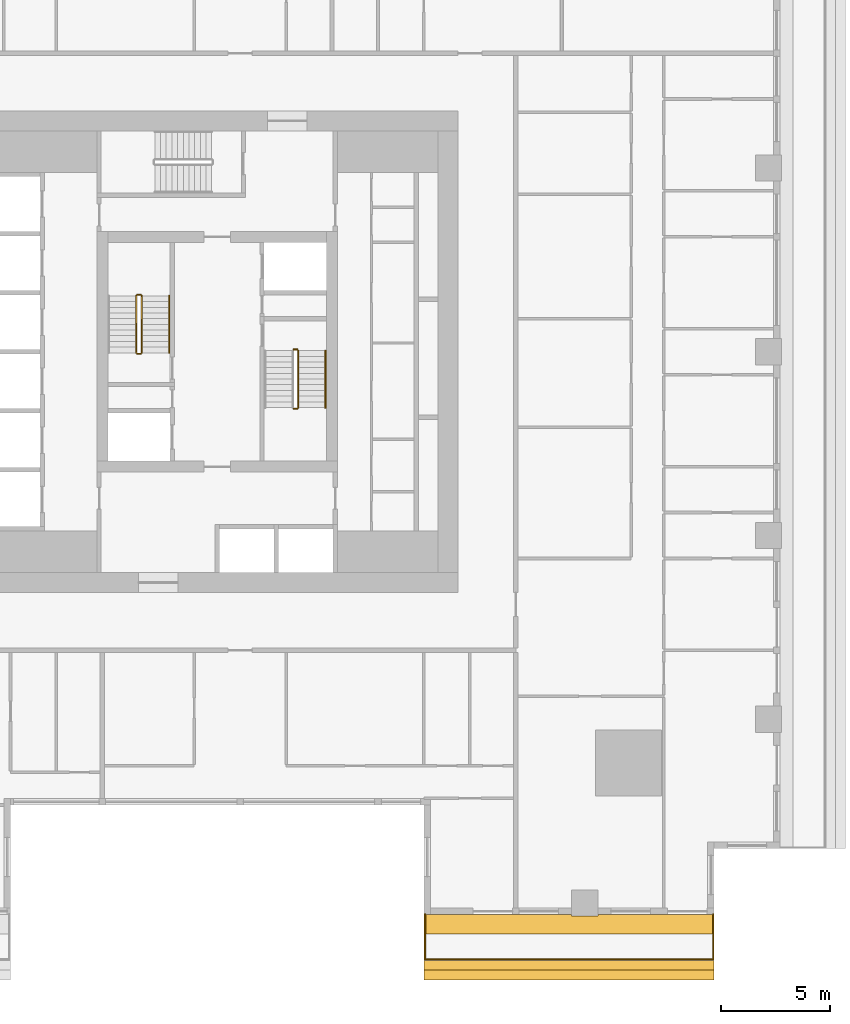
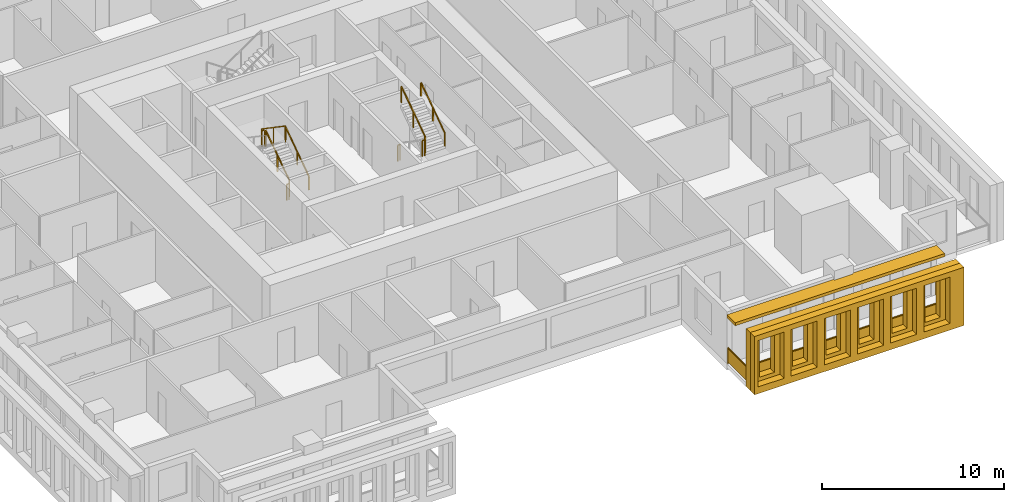
# One storey, part 12 of 15: 10 railings, 3 shading devices.
"""IFC4 building model written with IfcOpenShell, lengths in metres."""

from ifc_helpers import new_model, si_unit, direction, frame, origin, origin_2d, place, context, subcontext, project, spatial, polyline, rectangle, outline, extrude, material, layer, layer_set, type_object, element, save


model = new_model("IFC4")

# Units and contexts
model_context = context("Model", 3, precision=1e-05, world=origin(), true_north=direction((0.0, 1.0)))
body_context = subcontext(model_context, "Body", "Model", "MODEL_VIEW")
ifc_project = project(units=[si_unit("LENGTHUNIT", "METRE"), si_unit("AREAUNIT", "SQUARE_METRE"), si_unit("VOLUMEUNIT", "CUBIC_METRE"), si_unit("PLANEANGLEUNIT", "RADIAN"), si_unit("MASSUNIT", "GRAM", prefix="KILO")], contexts=[model_context])

# Site, building, storey
site_placement = place(None, origin())
site = spatial("IfcSite", under=ifc_project, at=site_placement, CompositionType="ELEMENT")
building_placement = place(site_placement, origin())
building = spatial("IfcBuilding", under=site, at=building_placement, Name="Khepri Terraces", CompositionType="ELEMENT")
storey_placement = place(building_placement, frame((0.0, 0.0, 54.300048828125)))
storey = spatial("IfcBuildingStorey", under=building, at=storey_placement, Name="L12", CompositionType="ELEMENT", Elevation=54.300048828125)

# Railings
ifc_material_1 = material(Name="Stainless steel grade 316", Category="steel")
railing_type_1 = type_object("IfcRailingType", Name="GRD-BAL-1100", PredefinedType="GUARDRAIL", material=ifc_material_1)
railing_1_placement = place(storey_placement, frame((9.5, -25.719970703125, 0.0)))
element("IfcRailing", 1, at=railing_1_placement, inside=storey, type_object=railing_type_1, Name="Balcony guard L12 S", PredefinedType="GUARDRAIL", context=body_context, shape_type="SweptSolid", body=[
    extrude(rectangle(XDim=0.050048828125, YDim=0.06005859375, at=origin_2d()), frame((0.0, 0.0, 1.070068359375), z_axis=(0.0, -1.0, 0.0), x_axis=(1.0, 0.0, 0.0)), (0.0, 0.0, 1.0), 2.050048828125),
    extrude(rectangle(XDim=2.0, YDim=0.011962890625, at=origin_2d()), frame((0.0, -1.02490234375, 0.10009765625), z_axis=(0.0, 0.0, 1.0), x_axis=(0.0, -1.0, 0.0)), (0.0, 0.0, 1.0), 0.93994140625),
    extrude(rectangle(XDim=0.050048828125, YDim=0.06005859375, at=origin_2d()), frame((0.0, -2.050048828125, 1.070068359375), z_axis=(1.0, 0.0, 0.0), x_axis=(0.0, 1.0, 0.0)), (0.0, 0.0, 1.0), 13.169921875),
    extrude(rectangle(XDim=2.14501953125, YDim=0.011962890625, at=origin_2d()), frame((1.097412109375, -2.050048828125, 0.10009765625), z_axis=(0.0, 0.0, 1.0), x_axis=(1.0, 0.0, 0.0)), (0.0, 0.0, 1.0), 0.93994140625),
    extrude(rectangle(XDim=2.14501953125, YDim=0.011962890625, at=origin_2d()), frame((3.29248046875, -2.050048828125, 0.10009765625), z_axis=(0.0, 0.0, 1.0), x_axis=(1.0, 0.0, 0.0)), (0.0, 0.0, 1.0), 0.93994140625),
    extrude(rectangle(XDim=2.14501953125, YDim=0.011962890625, at=origin_2d()), frame((5.487548828125, -2.050048828125, 0.10009765625), z_axis=(0.0, 0.0, 1.0), x_axis=(1.0, 0.0, 0.0)), (0.0, 0.0, 1.0), 0.93994140625),
    extrude(rectangle(XDim=2.14501953125, YDim=0.011962890625, at=origin_2d()), frame((7.682373046875, -2.050048828125, 0.10009765625), z_axis=(0.0, 0.0, 1.0), x_axis=(1.0, 0.0, 0.0)), (0.0, 0.0, 1.0), 0.93994140625),
    extrude(rectangle(XDim=2.14501953125, YDim=0.011962890625, at=origin_2d()), frame((9.87744140625, -2.050048828125, 0.10009765625), z_axis=(0.0, 0.0, 1.0), x_axis=(1.0, 0.0, 0.0)), (0.0, 0.0, 1.0), 0.93994140625),
    extrude(rectangle(XDim=2.14501953125, YDim=0.011962890625, at=origin_2d()), frame((12.072509765625, -2.050048828125, 0.10009765625), z_axis=(0.0, 0.0, 1.0), x_axis=(1.0, 0.0, 0.0)), (0.0, 0.0, 1.0), 0.93994140625),
    extrude(rectangle(XDim=0.050048828125, YDim=0.06005859375, at=origin_2d()), frame((13.169921875, -2.050048828125, 1.070068359375), z_axis=(0.0, 1.0, 0.0), x_axis=(-1.0, 0.0, 0.0)), (0.0, 0.0, 1.0), 2.050048828125),
    extrude(rectangle(XDim=2.0, YDim=0.011962890625, at=origin_2d()), frame((13.169921875, -1.02490234375, 0.10009765625), z_axis=(0.0, 0.0, 1.0), x_axis=(0.0, 1.0, 0.0)), (0.0, 0.0, 1.0), 0.93994140625),
    extrude(rectangle(XDim=0.050048828125, YDim=0.050048828125, at=origin_2d()), origin(), (0.0, 0.0, 1.0), 1.0400390625),
    extrude(rectangle(XDim=0.050048828125, YDim=0.050048828125, at=origin_2d()), frame((0.0, -2.050048828125, 0.0)), (0.0, 0.0, 1.0), 1.0400390625),
    extrude(rectangle(XDim=0.050048828125, YDim=0.050048828125, at=origin_2d()), frame((2.195068359375, -2.050048828125, 0.0)), (0.0, 0.0, 1.0), 1.0400390625),
    extrude(rectangle(XDim=0.050048828125, YDim=0.050048828125, at=origin_2d()), frame((4.389892578125, -2.050048828125, 0.0)), (0.0, 0.0, 1.0), 1.0400390625),
    extrude(rectangle(XDim=0.050048828125, YDim=0.050048828125, at=origin_2d()), frame((6.5849609375, -2.050048828125, 0.0)), (0.0, 0.0, 1.0), 1.0400390625),
    extrude(rectangle(XDim=0.050048828125, YDim=0.050048828125, at=origin_2d()), frame((8.780029296875, -2.050048828125, 0.0)), (0.0, 0.0, 1.0), 1.0400390625),
    extrude(rectangle(XDim=0.050048828125, YDim=0.050048828125, at=origin_2d()), frame((10.974853515625, -2.050048828125, 0.0)), (0.0, 0.0, 1.0), 1.0400390625),
    extrude(rectangle(XDim=0.050048828125, YDim=0.050048828125, at=origin_2d()), frame((13.169921875, -2.050048828125, 0.0)), (0.0, 0.0, 1.0), 1.0400390625),
    extrude(rectangle(XDim=0.050048828125, YDim=0.050048828125, at=origin_2d()), frame((13.169921875, 0.0, 0.0)), (0.0, 0.0, 1.0), 1.0400390625),
])
ifc_material_2 = material(Name="Stainless steel 316", Category="steel")
railing_type_2 = type_object("IfcRailingType", Name="RL-CORE-GUARD", PredefinedType="GUARDRAIL", material=ifc_material_2)
railing_2_placement = place(storey_placement, frame((-3.449951171875, -0.050048828125, 0.17724609375)))
element("IfcRailing", 2, at=railing_2_placement, inside=storey, type_object=railing_type_2, Name="L12 ST-1 stair guard 1", PredefinedType="GUARDRAIL", context=body_context, shape_type="SweptSolid", body=[
    extrude(rectangle(XDim=0.050048828125, YDim=0.06005859375, at=origin_2d()), frame((0.0, 0.0, 1.070068359375), z_axis=(0.0, 0.826240473404, 0.563317565952), x_axis=(-1.0, 0.0, 0.0)), (0.0, 0.0, 1.0), 3.14697265625),
    extrude(rectangle(XDim=0.050048828125, YDim=0.050048828125, at=origin_2d()), origin(), (0.0, 0.0, 1.0), 1.0400390625),
    extrude(rectangle(XDim=0.050048828125, YDim=0.050048828125, at=origin_2d()), frame((0.0, 1.300048828125, 0.88623046875)), (0.0, 0.0, 1.0), 1.0400390625),
    extrude(rectangle(XDim=0.050048828125, YDim=0.050048828125, at=origin_2d()), frame((0.0, 2.60009765625, 1.772705078125)), (0.0, 0.0, 1.0), 1.0400390625),
])
railing_3_placement = place(storey_placement, frame((-3.5, 2.60009765625, 1.949951171875)))
element("IfcRailing", 3, at=railing_3_placement, inside=storey, type_object=railing_type_2, Name="L12 ST-1 stair guard 2", PredefinedType="GUARDRAIL", context=body_context, shape_type="SweptSolid", body=[
    extrude(rectangle(XDim=0.050048828125, YDim=0.06005859375, at=origin_2d()), frame((0.0, 0.0, 1.070068359375), z_axis=(-1.0, 0.0, 0.0), x_axis=(0.0, -1.0, 0.0)), (0.0, 0.0, 1.0), 0.14990234375),
    extrude(rectangle(XDim=0.050048828125, YDim=0.050048828125, at=origin_2d()), origin(), (0.0, 0.0, 1.0), 1.0400390625),
    extrude(rectangle(XDim=0.050048828125, YDim=0.050048828125, at=origin_2d()), frame((-0.14990234375, 0.0, 0.0)), (0.0, 0.0, 1.0), 1.0400390625),
])
railing_4_placement = place(storey_placement, frame((-3.699951171875, 2.550048828125, 2.127197265625)))
element("IfcRailing", 4, at=railing_4_placement, inside=storey, type_object=railing_type_2, Name="L12 ST-1 stair guard 3", PredefinedType="GUARDRAIL", context=body_context, shape_type="SweptSolid", body=[
    extrude(rectangle(XDim=0.050048828125, YDim=0.06005859375, at=origin_2d()), frame((0.0, 0.0, 1.070068359375), z_axis=(0.0, -0.826240473404, 0.563317565952), x_axis=(1.0, 0.0, 0.0)), (0.0, 0.0, 1.0), 3.14697265625),
    extrude(rectangle(XDim=0.050048828125, YDim=0.050048828125, at=origin_2d()), origin(), (0.0, 0.0, 1.0), 1.0400390625),
    extrude(rectangle(XDim=0.050048828125, YDim=0.050048828125, at=origin_2d()), frame((0.0, -1.300048828125, 0.88623046875)), (0.0, 0.0, 1.0), 1.0400390625),
    extrude(rectangle(XDim=0.050048828125, YDim=0.050048828125, at=origin_2d()), frame((0.0, -2.60009765625, 1.772705078125)), (0.0, 0.0, 1.0), 1.0400390625),
])
railing_5_placement = place(storey_placement, frame((-3.5, -0.10009765625, 0.0)))
element("IfcRailing", 5, at=railing_5_placement, inside=storey, type_object=railing_type_2, Name="L12 ST-1 stair guard 4", PredefinedType="GUARDRAIL", context=body_context, shape_type="SweptSolid", body=[
    extrude(rectangle(XDim=0.050048828125, YDim=0.06005859375, at=origin_2d()), frame((0.0, 0.0, 1.070068359375), z_axis=(-1.0, 0.0, 0.0), x_axis=(0.0, -1.0, 0.0)), (0.0, 0.0, 1.0), 0.14990234375),
    extrude(rectangle(XDim=0.050048828125, YDim=0.050048828125, at=origin_2d()), origin(), (0.0, 0.0, 1.0), 1.0400390625),
    extrude(rectangle(XDim=0.050048828125, YDim=0.050048828125, at=origin_2d()), frame((-0.14990234375, 0.0, 0.0)), (0.0, 0.0, 1.0), 1.0400390625),
])
railing_6_placement = place(storey_placement, frame((3.5, -2.60009765625, 1.949951171875)))
element("IfcRailing", 6, at=railing_6_placement, inside=storey, type_object=railing_type_2, Name="L12 ST-2 stair guard 2", PredefinedType="GUARDRAIL", context=body_context, shape_type="SweptSolid", body=[
    extrude(rectangle(XDim=0.050048828125, YDim=0.06005859375, at=origin_2d()), frame((0.0, 0.0, 1.070068359375), z_axis=(1.0, 0.0, 0.0), x_axis=(0.0, 1.0, 0.0)), (0.0, 0.0, 1.0), 0.14990234375),
    extrude(rectangle(XDim=0.050048828125, YDim=0.050048828125, at=origin_2d()), origin(), (0.0, 0.0, 1.0), 1.0400390625),
    extrude(rectangle(XDim=0.050048828125, YDim=0.050048828125, at=origin_2d()), frame((0.14990234375, 0.0, 0.0)), (0.0, 0.0, 1.0), 1.0400390625),
])
railing_7_placement = place(storey_placement, frame((3.699951171875, -2.550048828125, 2.127197265625)))
element("IfcRailing", 7, at=railing_7_placement, inside=storey, type_object=railing_type_2, Name="L12 ST-2 stair guard 3", PredefinedType="GUARDRAIL", context=body_context, shape_type="SweptSolid", body=[
    extrude(rectangle(XDim=0.050048828125, YDim=0.06005859375, at=origin_2d()), frame((0.0, 0.0, 1.070068359375), z_axis=(0.0, 0.826240473404, 0.563317565952), x_axis=(-1.0, 0.0, 0.0)), (0.0, 0.0, 1.0), 3.14697265625),
    extrude(rectangle(XDim=0.050048828125, YDim=0.050048828125, at=origin_2d()), origin(), (0.0, 0.0, 1.0), 1.0400390625),
    extrude(rectangle(XDim=0.050048828125, YDim=0.050048828125, at=origin_2d()), frame((0.0, 1.300048828125, 0.88623046875)), (0.0, 0.0, 1.0), 1.0400390625),
    extrude(rectangle(XDim=0.050048828125, YDim=0.050048828125, at=origin_2d()), frame((0.0, 2.60009765625, 1.772705078125)), (0.0, 0.0, 1.0), 1.0400390625),
])
railing_8_placement = place(storey_placement, frame((3.5, 0.10009765625, 0.0)))
element("IfcRailing", 8, at=railing_8_placement, inside=storey, type_object=railing_type_2, Name="L12 ST-2 stair guard 4", PredefinedType="GUARDRAIL", context=body_context, shape_type="SweptSolid", body=[
    extrude(rectangle(XDim=0.050048828125, YDim=0.06005859375, at=origin_2d()), frame((0.0, 0.0, 1.070068359375), z_axis=(1.0, 0.0, 0.0), x_axis=(0.0, 1.0, 0.0)), (0.0, 0.0, 1.0), 0.14990234375),
    extrude(rectangle(XDim=0.050048828125, YDim=0.050048828125, at=origin_2d()), origin(), (0.0, 0.0, 1.0), 1.0400390625),
    extrude(rectangle(XDim=0.050048828125, YDim=0.050048828125, at=origin_2d()), frame((0.14990234375, 0.0, 0.0)), (0.0, 0.0, 1.0), 1.0400390625),
])
railing_type_3 = type_object("IfcRailingType", Name="RL-CORE-HANDRAIL", PredefinedType="HANDRAIL", material=ifc_material_2)
for number, where, name in (
    (9, (-2.199951171875, -0.050048828125, 0.17724609375), "L12 ST-1 stair handrail 1"),
    (10, (4.949951171875, -2.550048828125, 2.127197265625), "L12 ST-2 stair handrail 2"),
):
    element("IfcRailing", number, at=place(storey_placement, frame(where)), inside=storey, type_object=railing_type_3, Name=name, PredefinedType="HANDRAIL", context=body_context, shape_type="SweptSolid", body=[
        extrude(rectangle(XDim=0.050048828125, YDim=0.050048828125, at=origin_2d()), frame((0.0, 0.0, 0.875), z_axis=(0.0, 0.826240473404, 0.563317565952), x_axis=(-1.0, 0.0, 0.0)), (0.0, 0.0, 1.0), 3.14697265625),
        extrude(rectangle(XDim=0.050048828125, YDim=0.050048828125, at=origin_2d()), origin(), (0.0, 0.0, 1.0), 0.849853515625),
        extrude(rectangle(XDim=0.050048828125, YDim=0.050048828125, at=origin_2d()), frame((0.0, 1.300048828125, 0.88623046875)), (0.0, 0.0, 1.0), 0.849853515625),
        extrude(rectangle(XDim=0.050048828125, YDim=0.050048828125, at=origin_2d()), frame((0.0, 2.60009765625, 1.772705078125)), (0.0, 0.0, 1.0), 0.849853515625),
    ])

# Shading devices
ifc_material_3 = material(Name="Precast concrete C50/60 warm stone", Category="masonry")
shading_device_type_1 = type_object("IfcShadingDeviceType", Name="SCR-CELL-INNER-450", PredefinedType="USERDEFINED", material=ifc_material_3)
shading_device_1_placement = place(storey_placement, frame((9.449951171875, -27.820068359375, -0.25), z_axis=(0.0, -1.0, 0.0), x_axis=(1.0, 0.0, 0.0)))
element("IfcShadingDevice", 11, at=shading_device_1_placement, inside=storey, type_object=shading_device_type_1, Name="Cell screen L12 S in", ObjectType="SCREEN", PredefinedType="USERDEFINED", context=body_context, shape_type="SweptSolid", body=[
    extrude(outline(polyline([(0.0, 0.0), (13.27001953125, 0.0), (13.27001953125, 3.89990234375), (0.0, 3.89990234375), (0.0, 0.0)]), holes=[polyline([(0.577392578125, 0.699951171875), (1.5224609375, 0.699951171875), (1.5224609375, 3.300048828125), (0.577392578125, 3.300048828125), (0.577392578125, 0.699951171875)]), polyline([(2.677490234375, 0.699951171875), (3.62255859375, 0.699951171875), (3.62255859375, 3.300048828125), (2.677490234375, 3.300048828125), (2.677490234375, 0.699951171875)]), polyline([(4.777587890625, 0.699951171875), (5.722412109375, 0.699951171875), (5.722412109375, 3.300048828125), (4.777587890625, 3.300048828125), (4.777587890625, 0.699951171875)]), polyline([(6.87744140625, 0.699951171875), (7.822509765625, 0.699951171875), (7.822509765625, 3.300048828125), (6.87744140625, 3.300048828125), (6.87744140625, 0.699951171875)]), polyline([(8.9775390625, 0.699951171875), (9.922607421875, 0.699951171875), (9.922607421875, 3.300048828125), (8.9775390625, 3.300048828125), (8.9775390625, 0.699951171875)]), polyline([(11.077392578125, 0.699951171875), (12.0224609375, 0.699951171875), (12.0224609375, 3.300048828125), (11.077392578125, 3.300048828125), (11.077392578125, 0.699951171875)])]), origin(), (0.0, 0.0, 1.0), 0.449951171875),
])
shading_device_type_2 = type_object("IfcShadingDeviceType", Name="SCR-CELL-OUTER-450", PredefinedType="USERDEFINED", material=ifc_material_3)
shading_device_2_placement = place(storey_placement, frame((9.449951171875, -28.27001953125, -0.25), z_axis=(0.0, -1.0, 0.0), x_axis=(1.0, 0.0, 0.0)))
element("IfcShadingDevice", 12, at=shading_device_2_placement, inside=storey, type_object=shading_device_type_2, Name="Cell screen L12 S out", ObjectType="SCREEN", PredefinedType="USERDEFINED", context=body_context, shape_type="SweptSolid", body=[
    extrude(outline(polyline([(0.0, 0.0), (13.27001953125, 0.0), (13.27001953125, 3.89990234375), (0.0, 3.89990234375), (0.0, 0.0)]), holes=[polyline([(0.2275390625, 0.449951171875), (1.87255859375, 0.449951171875), (1.87255859375, 3.550048828125), (0.2275390625, 3.550048828125), (0.2275390625, 0.449951171875)]), polyline([(2.327392578125, 0.449951171875), (3.972412109375, 0.449951171875), (3.972412109375, 3.550048828125), (2.327392578125, 3.550048828125), (2.327392578125, 0.449951171875)]), polyline([(4.427490234375, 0.449951171875), (6.072509765625, 0.449951171875), (6.072509765625, 3.550048828125), (4.427490234375, 3.550048828125), (4.427490234375, 0.449951171875)]), polyline([(6.527587890625, 0.449951171875), (8.172607421875, 0.449951171875), (8.172607421875, 3.550048828125), (6.527587890625, 3.550048828125), (6.527587890625, 0.449951171875)]), polyline([(8.62744140625, 0.449951171875), (10.2724609375, 0.449951171875), (10.2724609375, 3.550048828125), (8.62744140625, 3.550048828125), (8.62744140625, 0.449951171875)]), polyline([(10.7275390625, 0.449951171875), (12.37255859375, 0.449951171875), (12.37255859375, 3.550048828125), (10.7275390625, 3.550048828125), (10.7275390625, 0.449951171875)])]), origin(), (0.0, 0.0, 1.0), 0.449951171875),
])
ifc_layer = layer(ifc_material_3, 0.199951171875, Name="Precast concrete C50/60 warm stone", Category="masonry")
ifc_layer_set = layer_set([ifc_layer], Name="Precast concrete C50/60 warm stone")
shading_device_type_3 = type_object("IfcShadingDeviceType", Name="SSH-BAND-STONE-200", PredefinedType="USERDEFINED", material=ifc_layer_set)
shading_device_3_placement = place(storey_placement, frame((0.0, 0.0, 3.099853515625)))
element("IfcShadingDevice", 13, at=shading_device_3_placement, inside=storey, type_object=shading_device_type_3, Name="Sunshade band L12 S", ObjectType="SUNSHADE", PredefinedType="USERDEFINED", context=body_context, shape_type="SweptSolid", body=[
    extrude(outline(polyline([(16.199951171875, -25.719970703125), (9.449951171875, -25.719970703125), (9.449951171875, -26.6201171875), (22.719970703125, -26.6201171875), (22.719970703125, -25.719970703125), (17.39990234375, -25.719970703125), (17.39990234375, -25.800048828125), (16.199951171875, -25.800048828125), (16.199951171875, -25.719970703125)])), origin(), (0.0, 0.0, 1.0), 0.2001953125),
])

save(model, "model.ifc")
